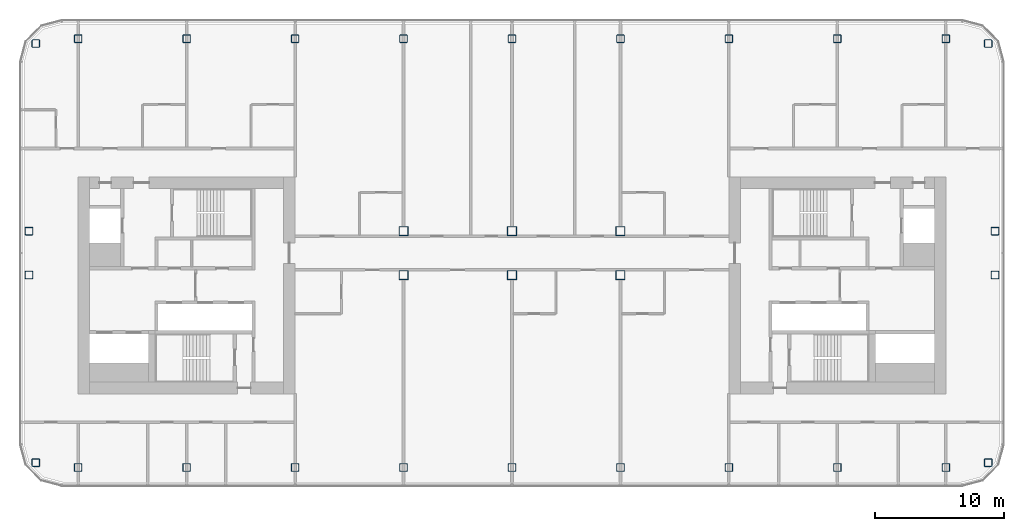
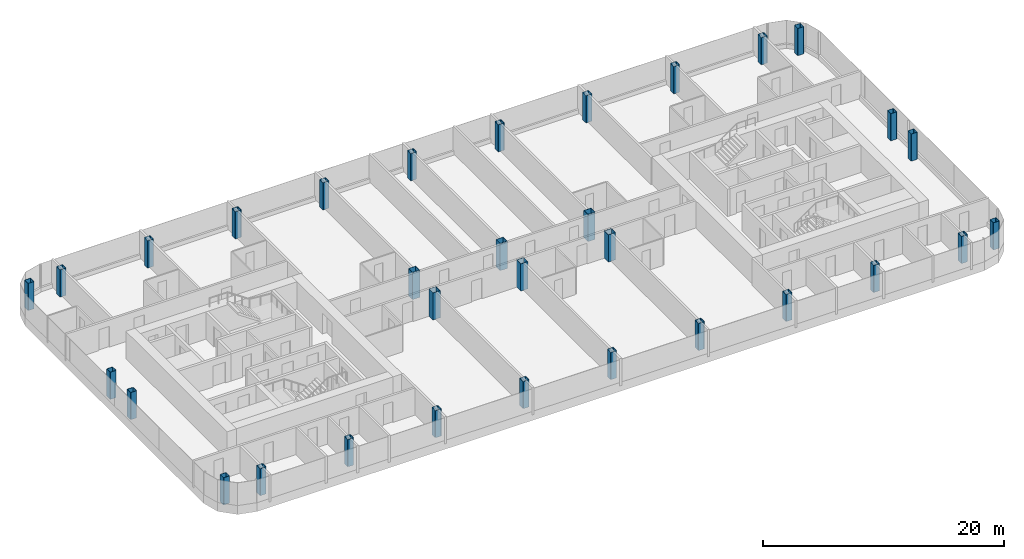
# One storey, part 1 of 25: 32 columns.
"""IFC4 building model written with IfcOpenShell, lengths in metres."""

from ifc_helpers import new_model, si_unit, direction, frame, origin, origin_2d, place, context, subcontext, project, spatial, hollow_rectangle, extrude, material, material_profile, profile_set, type_object, element, save


model = new_model("IFC4")

# Units and contexts
model_context = context("Model", 3, precision=1e-05, world=origin(), true_north=direction((0.0, 1.0)))
body_context = subcontext(model_context, "Body", "Model", "MODEL_VIEW")
ifc_project = project(units=[si_unit("LENGTHUNIT", "METRE"), si_unit("AREAUNIT", "SQUARE_METRE"), si_unit("VOLUMEUNIT", "CUBIC_METRE"), si_unit("PLANEANGLEUNIT", "RADIAN"), si_unit("MASSUNIT", "GRAM", prefix="KILO")], contexts=[model_context])

# Site, building, storey
site_placement = place(None, origin())
site = spatial("IfcSite", under=ifc_project, at=site_placement, CompositionType="ELEMENT")
building_placement = place(site_placement, origin())
building = spatial("IfcBuilding", under=site, at=building_placement, Name="Hakoniwa Tower and Hamabe Station Hall", CompositionType="ELEMENT")
storey_placement = place(building_placement, frame((0.0, 0.0, 186.60009765625)))
storey = spatial("IfcBuildingStorey", under=building, at=storey_placement, Name="L52", CompositionType="ELEMENT", Elevation=186.60009765625)

# Columns
ifc_material_1 = material(Name="Steel BCP325", Category="steel")
ifc_material_profile_1 = material_profile(ifc_material_1, hollow_rectangle(XDim=0.60009765625, YDim=0.60009765625, WallThickness=0.02490234375, InnerFilletRadius=0.03759765625, OuterFilletRadius=0.0625, at=origin_2d()), Name="BCP-600x600x25")
ifc_profile_set_1 = profile_set([ifc_material_profile_1], Name="Steel BCP325")
column_type_1 = type_object("IfcColumnType", Name="COLUMN BCP-600x600x25", PredefinedType="COLUMN", material=ifc_profile_set_1)
for number, where, z_axis, x_axis, name in (
    (1, (-36.877685546875, -13.728515625, 0.0), (0.0, 0.0, 1.0), (1.0, 0.0, 0.0), "Column B4-EW-A4"),
    (2, (-37.39990234375, 0.800048828125, 0.0), (0.0, 0.0, 1.0), (1.0, 0.0, 0.0), "Column B4-EW-C4"),
    (3, (-37.39990234375, 4.199951171875, 0.0), (0.0, 0.0, 1.0), (1.0, 0.0, 0.0), "Column B4-EW-D4"),
    (4, (-36.877685546875, 18.728515625, 0.0), (0.0, 0.0, 1.0), (1.0, 0.0, 0.0), "Column B4-EW-F4"),
    (5, (-33.60009765625, -14.10009765625, 0.0), (0.0, 0.0, 1.0), (1.0, 0.0, 0.0), "Column B4-3-A4"),
    (6, (-33.60009765625, 19.10009765625, 0.0), (0.0, 0.0, 1.0), (1.0, 0.0, 0.0), "Column B4-3-F4"),
    (7, (-25.199951171875, -14.10009765625, 0.0), (0.0, 0.0, 1.0), (1.0, 0.0, 0.0), "Column B4-4-A4"),
    (8, (-25.199951171875, 19.10009765625, 0.0), (0.0, 0.0, 1.0), (1.0, 0.0, 0.0), "Column B4-4-F4"),
    (9, (-16.800048828125, -14.10009765625, 0.0), (0.0, 0.0, 1.0), (1.0, 0.0, 0.0), "Column B4-5-A4"),
    (10, (-16.800048828125, 19.10009765625, 0.0), (0.0, 0.0, 1.0), (1.0, 0.0, 0.0), "Column B4-5-F4"),
    (11, (-8.39990234375, -14.10009765625, 0.0), (0.0, 0.0, 1.0), (1.0, 0.0, 0.0), "Column B4-6-A4"),
    (12, (-8.39990234375, 19.10009765625, 0.0), (0.0, 0.0, 1.0), (1.0, 0.0, 0.0), "Column B4-6-F4"),
    (13, (0.0, -14.10009765625, 0.0), (0.0, 0.0, 1.0), (1.0, 0.0, 0.0), "Column B4-7-A4"),
    (14, (0.0, 19.10009765625, 0.0), (0.0, 0.0, 1.0), (1.0, 0.0, 0.0), "Column B4-7-F4"),
    (15, (8.39990234375, -14.10009765625, 0.0), (0.0, 0.0, 1.0), (1.0, 0.0, 0.0), "Column B4-8-A4"),
    (16, (8.39990234375, 19.10009765625, 0.0), (0.0, 0.0, 1.0), (1.0, 0.0, 0.0), "Column B4-8-F4"),
    (17, (16.800048828125, -14.10009765625, 0.0), (0.0, 0.0, 1.0), (1.0, 0.0, 0.0), "Column B4-9-A4"),
    (18, (16.800048828125, 19.10009765625, 0.0), (0.0, 0.0, 1.0), (1.0, 0.0, 0.0), "Column B4-9-F4"),
    (19, (25.199951171875, -14.10009765625, 0.0), (0.0, 0.0, 1.0), (1.0, 0.0, 0.0), "Column B4-10-A4"),
    (20, (25.199951171875, 19.10009765625, 0.0), (0.0, 0.0, 1.0), (1.0, 0.0, 0.0), "Column B4-10-F4"),
    (21, (33.60009765625, -14.10009765625, 0.0), (0.0, 0.0, 1.0), (1.0, 0.0, 0.0), "Column B4-11-A4"),
    (22, (33.60009765625, 19.10009765625, 0.0), (0.0, 0.0, 1.0), (1.0, 0.0, 0.0), "Column B4-11-F4"),
    (23, (36.877685546875, -13.728515625, 0.0), (0.0, 0.0, 1.0), (1.0, 0.0, 0.0), "Column B4-EE-A4"),
    (24, (37.39990234375, 0.800048828125, 0.0), (0.0, 0.0, 1.0), (1.0, 0.0, 0.0), "Column B4-EE-C4"),
    (25, (37.39990234375, 4.199951171875, 0.0), (0.0, 0.0, 1.0), (1.0, 0.0, 0.0), "Column B4-EE-D4"),
    (26, (36.877685546875, 18.728515625, 0.0), (0.0, 0.0, 1.0), (1.0, 0.0, 0.0), "Column B4-EE-F4"),
):
    element("IfcColumn", number, at=place(storey_placement, frame(where, z_axis=z_axis, x_axis=x_axis)), inside=storey, type_object=column_type_1, Name=name, PredefinedType="COLUMN", context=body_context, shape_type="SweptSolid", body=[
        extrude(hollow_rectangle(XDim=0.60009765625, YDim=0.60009765625, WallThickness=0.02490234375, InnerFilletRadius=0.03759765625, OuterFilletRadius=0.0625, at=origin_2d()), origin(), (0.0, 0.0, 1.0), 2.75),
    ])
ifc_material_2 = material(Name="Steel SN490C", Category="steel")
ifc_material_profile_2 = material_profile(ifc_material_2, hollow_rectangle(XDim=0.699951171875, YDim=0.699951171875, WallThickness=0.028076171875, at=origin_2d()), Name="BX-700x700x28")
ifc_profile_set_2 = profile_set([ifc_material_profile_2], Name="Steel SN490C")
column_type_2 = type_object("IfcColumnType", Name="COLUMN BX-700x700x28", PredefinedType="COLUMN", material=ifc_profile_set_2)
for number, where, z_axis, x_axis, name in (
    (27, (-8.39990234375, 0.800048828125, 0.0), (0.0, 0.0, 1.0), (1.0, 0.0, 0.0), "Column B4-6-C4"),
    (28, (-8.39990234375, 4.199951171875, 0.0), (0.0, 0.0, 1.0), (1.0, 0.0, 0.0), "Column B4-6-D4"),
    (29, (0.0, 0.800048828125, 0.0), (0.0, 0.0, 1.0), (1.0, 0.0, 0.0), "Column B4-7-C4"),
    (30, (0.0, 4.199951171875, 0.0), (0.0, 0.0, 1.0), (1.0, 0.0, 0.0), "Column B4-7-D4"),
    (31, (8.39990234375, 0.800048828125, 0.0), (0.0, 0.0, 1.0), (1.0, 0.0, 0.0), "Column B4-8-C4"),
    (32, (8.39990234375, 4.199951171875, 0.0), (0.0, 0.0, 1.0), (1.0, 0.0, 0.0), "Column B4-8-D4"),
):
    element("IfcColumn", number, at=place(storey_placement, frame(where, z_axis=z_axis, x_axis=x_axis)), inside=storey, type_object=column_type_2, Name=name, PredefinedType="COLUMN", context=body_context, shape_type="SweptSolid", body=[
        extrude(hollow_rectangle(XDim=0.699951171875, YDim=0.699951171875, WallThickness=0.028076171875, at=origin_2d()), origin(), (0.0, 0.0, 1.0), 2.75),
    ])

save(model, "model.ifc")
